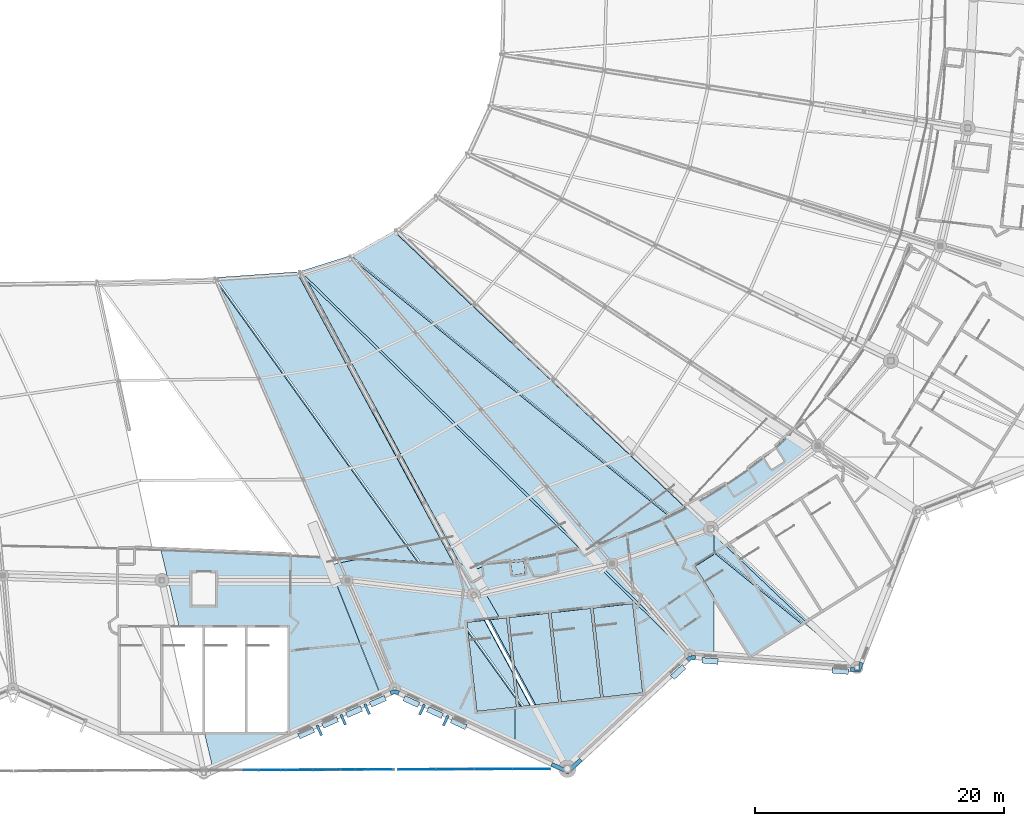
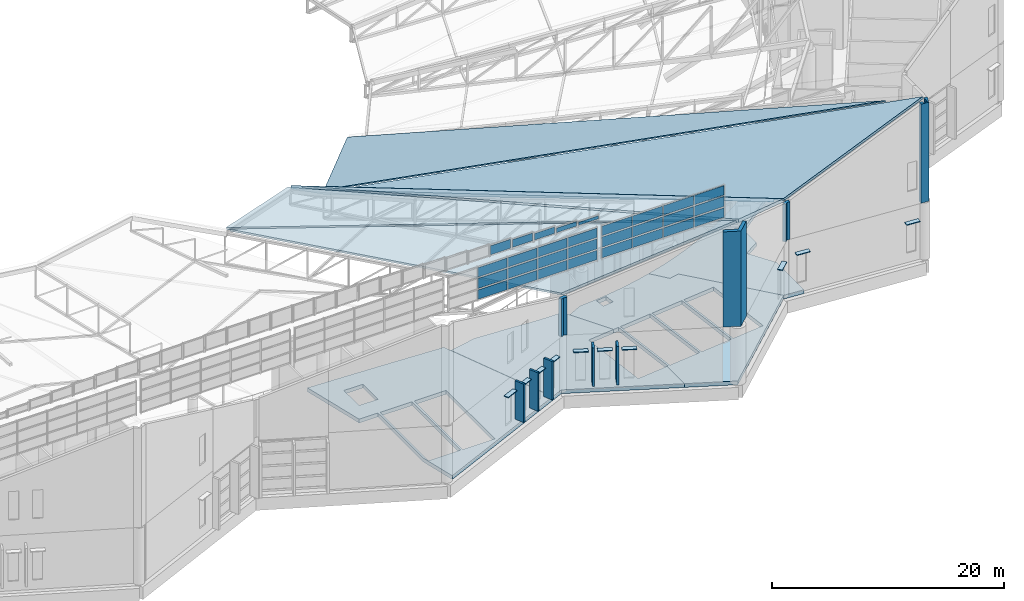
# One storey, part 231 of 344: 48 plates, 10 slabs, 7 elements without a shape of their own.
"""IFC4 building model written with IfcOpenShell, lengths in metres."""

from ifc_helpers import new_model, si_unit, direction, frame, origin, origin_2d, place, context, subcontext, project, spatial, polyline, rectangle, outline, extrude, material, layer, layer_set, type_object, element, aggregate, save


model = new_model("IFC4")

# Units and contexts
model_context = context("Model", 3, precision=1e-05, world=origin(), true_north=direction((0.0, 1.0)))
body_context = subcontext(model_context, "Body", "Model", "MODEL_VIEW")
ifc_project = project(units=[si_unit("LENGTHUNIT", "METRE"), si_unit("AREAUNIT", "SQUARE_METRE"), si_unit("VOLUMEUNIT", "CUBIC_METRE"), si_unit("PLANEANGLEUNIT", "RADIAN"), si_unit("MASSUNIT", "GRAM", prefix="KILO")], contexts=[model_context])

# Site, building, storey
site_placement = place(None, origin())
site = spatial("IfcSite", under=ifc_project, at=site_placement, CompositionType="ELEMENT")
building_placement = place(site_placement, origin())
building = spatial("IfcBuilding", under=site, at=building_placement, Name="Meseta Stadium", CompositionType="ELEMENT")
storey_placement = place(building_placement, frame((0.0, 0.0, 24.0)))
storey = spatial("IfcBuildingStorey", under=building, at=storey_placement, Name="L04", CompositionType="ELEMENT", Elevation=24.0)

# Curtain wall, plate
ifc_material_1 = material(Name="Aluminium", Category="aluminium")
ifc_layer_1 = layer(ifc_material_1, 0.199951171875)
ifc_layer_set_1 = layer_set([ifc_layer_1], Name="Gable glazing curtain wall")
curtain_wall_type = type_object("IfcCurtainWallType", Name="Gable glazing curtain wall", PredefinedType="NOTDEFINED", material=ifc_layer_set_1)
curtain_wall_1_placement = place(storey_placement, origin())
curtain_wall_1 = element("IfcCurtainWall", 1, at=curtain_wall_1_placement, inside=storey, type_object=curtain_wall_type, Name="Gable glazing south bay 31", PredefinedType="NOTDEFINED")
ifc_material_2 = material(Name="Glass", Category="glass")
ifc_layer_2 = layer(ifc_material_2, 0.035888671875)
ifc_layer_set_2 = layer_set([ifc_layer_2], Name="CW glass panel 36")
plate_type_1 = type_object("IfcPlateType", Name="CW glass panel 36", PredefinedType="CURTAIN_PANEL", material=ifc_layer_set_2)
plate_1_placement = place(storey_placement, frame((28.484619140625, -105.142822265625, 22.0048828125), z_axis=(0.0, 0.0, 1.0), x_axis=(0.999992598213, 0.003847534181, 0.0)))
plate_1 = element("IfcPlate", 2, at=plate_1_placement, type_object=plate_type_1, Name="CWG panel 1.1", PredefinedType="CURTAIN_PANEL", context=body_context, shape_type="SweptSolid", body=[
    extrude(rectangle(XDim=2.01025390625, YDim=0.035888671875, at=origin_2d()), origin(), (0.0, 0.0, 1.0), 0.943603515625),
])
aggregate(curtain_wall_1, [plate_1])

curtain_wall_2_placement = place(storey_placement, origin())
curtain_wall_2 = element("IfcCurtainWall", 3, at=curtain_wall_2_placement, inside=storey, type_object=curtain_wall_type, Name="Gable glazing south bay 32", PredefinedType="NOTDEFINED")
plate_2_placement = place(storey_placement, frame((30.6787109375, -105.134521484375, 22.0048828125), z_axis=(0.0, 0.0, 1.0), x_axis=(0.999992598213, 0.003847534181, 0.0)))
plate_2 = element("IfcPlate", 4, at=plate_2_placement, type_object=plate_type_1, Name="CWG panel 1.1", PredefinedType="CURTAIN_PANEL", context=body_context, shape_type="SweptSolid", body=[
    extrude(rectangle(XDim=2.01025390625, YDim=0.035888671875, at=origin_2d()), origin(), (0.0, 0.0, 1.0), 0.8203125),
])
aggregate(curtain_wall_2, [plate_2])

curtain_wall_3_placement = place(storey_placement, origin())
curtain_wall_3 = element("IfcCurtainWall", 5, at=curtain_wall_3_placement, inside=storey, type_object=curtain_wall_type, Name="Gable glazing south bay 33", PredefinedType="NOTDEFINED")
plate_3_placement = place(storey_placement, frame((32.872802734375, -105.1259765625, 22.0048828125), z_axis=(0.0, 0.0, 1.0), x_axis=(0.999992598211, 0.003847534652, 0.0)))
plate_3 = element("IfcPlate", 6, at=plate_3_placement, type_object=plate_type_1, Name="CWG panel 1.1", PredefinedType="CURTAIN_PANEL", context=body_context, shape_type="SweptSolid", body=[
    extrude(rectangle(XDim=2.01025390625, YDim=0.035888671875, at=origin_2d()), origin(), (0.0, 0.0, 1.0), 0.684326171875),
])
aggregate(curtain_wall_3, [plate_3])

curtain_wall_4_placement = place(storey_placement, origin())
curtain_wall_4 = element("IfcCurtainWall", 7, at=curtain_wall_4_placement, inside=storey, type_object=curtain_wall_type, Name="Gable glazing south bay 34", PredefinedType="NOTDEFINED")
plate_4_placement = place(storey_placement, frame((35.067138671875, -105.11767578125, 22.0048828125), z_axis=(0.0, 0.0, 1.0), x_axis=(0.999992598213, 0.003847534181, 0.0)))
plate_4 = element("IfcPlate", 8, at=plate_4_placement, type_object=plate_type_1, Name="CWG panel 1.1", PredefinedType="CURTAIN_PANEL", context=body_context, shape_type="SweptSolid", body=[
    extrude(rectangle(XDim=2.01025390625, YDim=0.035888671875, at=origin_2d()), origin(), (0.0, 0.0, 1.0), 0.485595703125),
])
aggregate(curtain_wall_4, [plate_4])

curtain_wall_5_placement = place(storey_placement, origin())
curtain_wall_5 = element("IfcCurtainWall", 9, at=curtain_wall_5_placement, inside=storey, type_object=curtain_wall_type, Name="Gable glazing south bay 35", PredefinedType="NOTDEFINED")
plate_5_placement = place(storey_placement, frame((37.26123046875, -105.109130859375, 22.0048828125), z_axis=(0.0, 0.0, 1.0), x_axis=(0.999992598213, 0.003847534181, 0.0)))
plate_5 = element("IfcPlate", 10, at=plate_5_placement, type_object=plate_type_1, Name="CWG panel 1.1", PredefinedType="CURTAIN_PANEL", context=body_context, shape_type="SweptSolid", body=[
    extrude(rectangle(XDim=2.01025390625, YDim=0.035888671875, at=origin_2d()), origin(), (0.0, 0.0, 1.0), 0.32373046875),
])
aggregate(curtain_wall_5, [plate_5])

# Curtain wall, plates
curtain_wall_6_placement = place(storey_placement, origin())
curtain_wall_6 = element("IfcCurtainWall", 11, at=curtain_wall_6_placement, inside=storey, type_object=curtain_wall_type, Name="Gable glazing south lower bay 05", PredefinedType="NOTDEFINED")
plate_6_placement = place(storey_placement, frame((27.68505859375, -105.14599609375, 17.75), z_axis=(0.0, 0.0, 1.0), x_axis=(0.999992598213, 0.003847534216, 0.0)))
plate_6 = element("IfcPlate", 12, at=plate_6_placement, type_object=plate_type_1, Name="CWG panel 2.1", PredefinedType="CURTAIN_PANEL", context=body_context, shape_type="SweptSolid", body=[
    extrude(rectangle(XDim=2.93359375, YDim=0.035888671875, at=origin_2d()), origin(), (0.0, 0.0, 1.0), 0.986572265625),
])
plate_7_placement = place(storey_placement, frame((27.68505859375, -105.14599609375, 18.88671875), z_axis=(0.0, 0.0, 1.0), x_axis=(0.999992598213, 0.003847534216, 0.0)))
plate_7 = element("IfcPlate", 13, at=plate_7_placement, type_object=plate_type_1, Name="CWG panel 2.2", PredefinedType="CURTAIN_PANEL", context=body_context, shape_type="SweptSolid", body=[
    extrude(rectangle(XDim=2.93359375, YDim=0.035888671875, at=origin_2d()), origin(), (0.0, 0.0, 1.0), 1.061767578125),
])
plate_8_placement = place(storey_placement, frame((27.68505859375, -105.14599609375, 20.09814453125), z_axis=(0.0, 0.0, 1.0), x_axis=(0.999992598213, 0.003847534216, 0.0)))
plate_8 = element("IfcPlate", 14, at=plate_8_placement, type_object=plate_type_1, Name="CWG panel 2.3", PredefinedType="CURTAIN_PANEL", context=body_context, shape_type="SweptSolid", body=[
    extrude(rectangle(XDim=2.93359375, YDim=0.035888671875, at=origin_2d()), origin(), (0.0, 0.0, 1.0), 0.986572265625),
])
plate_9_placement = place(storey_placement, frame((30.6787109375, -105.134521484375, 17.75), z_axis=(0.0, 0.0, 1.0), x_axis=(0.999992598213, 0.003847534216, 0.0)))
plate_9 = element("IfcPlate", 15, at=plate_9_placement, type_object=plate_type_1, Name="CWG panel 3.1", PredefinedType="CURTAIN_PANEL", context=body_context, shape_type="SweptSolid", body=[
    extrude(rectangle(XDim=2.93359375, YDim=0.035888671875, at=origin_2d()), origin(), (0.0, 0.0, 1.0), 0.986572265625),
])
plate_10_placement = place(storey_placement, frame((30.6787109375, -105.134521484375, 18.88671875), z_axis=(0.0, 0.0, 1.0), x_axis=(0.999992598213, 0.003847534216, 0.0)))
plate_10 = element("IfcPlate", 16, at=plate_10_placement, type_object=plate_type_1, Name="CWG panel 3.2", PredefinedType="CURTAIN_PANEL", context=body_context, shape_type="SweptSolid", body=[
    extrude(rectangle(XDim=2.93359375, YDim=0.035888671875, at=origin_2d()), origin(), (0.0, 0.0, 1.0), 1.061767578125),
])
plate_11_placement = place(storey_placement, frame((30.6787109375, -105.134521484375, 20.09814453125), z_axis=(0.0, 0.0, 1.0), x_axis=(0.999992598213, 0.003847534216, 0.0)))
plate_11 = element("IfcPlate", 17, at=plate_11_placement, type_object=plate_type_1, Name="CWG panel 3.3", PredefinedType="CURTAIN_PANEL", context=body_context, shape_type="SweptSolid", body=[
    extrude(rectangle(XDim=2.93359375, YDim=0.035888671875, at=origin_2d()), origin(), (0.0, 0.0, 1.0), 0.986572265625),
])
plate_12_placement = place(storey_placement, frame((33.67236328125, -105.123046875, 17.75), z_axis=(0.0, 0.0, 1.0), x_axis=(0.999992598213, 0.003847534216, 0.0)))
plate_12 = element("IfcPlate", 18, at=plate_12_placement, type_object=plate_type_1, Name="CWG panel 4.1", PredefinedType="CURTAIN_PANEL", context=body_context, shape_type="SweptSolid", body=[
    extrude(rectangle(XDim=2.93359375, YDim=0.035888671875, at=origin_2d()), origin(), (0.0, 0.0, 1.0), 0.986572265625),
])
plate_13_placement = place(storey_placement, frame((33.67236328125, -105.123046875, 18.88671875), z_axis=(0.0, 0.0, 1.0), x_axis=(0.999992598213, 0.003847534216, 0.0)))
plate_13 = element("IfcPlate", 19, at=plate_13_placement, type_object=plate_type_1, Name="CWG panel 4.2", PredefinedType="CURTAIN_PANEL", context=body_context, shape_type="SweptSolid", body=[
    extrude(rectangle(XDim=2.93359375, YDim=0.035888671875, at=origin_2d()), origin(), (0.0, 0.0, 1.0), 1.061767578125),
])
plate_14_placement = place(storey_placement, frame((33.67236328125, -105.123046875, 20.09814453125), z_axis=(0.0, 0.0, 1.0), x_axis=(0.999992598213, 0.003847534216, 0.0)))
plate_14 = element("IfcPlate", 20, at=plate_14_placement, type_object=plate_type_1, Name="CWG panel 4.3", PredefinedType="CURTAIN_PANEL", context=body_context, shape_type="SweptSolid", body=[
    extrude(rectangle(XDim=2.93359375, YDim=0.035888671875, at=origin_2d()), origin(), (0.0, 0.0, 1.0), 0.986572265625),
])
plate_15_placement = place(storey_placement, frame((36.651123046875, -105.111572265625, 17.75), z_axis=(0.0, 0.0, 1.0), x_axis=(0.999992598213, 0.003847534216, 0.0)))
plate_15 = element("IfcPlate", 21, at=plate_15_placement, type_object=plate_type_1, Name="CWG panel 5.1", PredefinedType="CURTAIN_PANEL", context=body_context, shape_type="SweptSolid", body=[
    extrude(rectangle(XDim=2.903564453125, YDim=0.035888671875, at=origin_2d()), origin(), (0.0, 0.0, 1.0), 0.986572265625),
])
plate_16_placement = place(storey_placement, frame((36.651123046875, -105.111572265625, 18.88671875), z_axis=(0.0, 0.0, 1.0), x_axis=(0.999992598213, 0.003847534216, 0.0)))
plate_16 = element("IfcPlate", 22, at=plate_16_placement, type_object=plate_type_1, Name="CWG panel 5.2", PredefinedType="CURTAIN_PANEL", context=body_context, shape_type="SweptSolid", body=[
    extrude(rectangle(XDim=2.903564453125, YDim=0.035888671875, at=origin_2d()), origin(), (0.0, 0.0, 1.0), 1.061767578125),
])
plate_17_placement = place(storey_placement, frame((36.651123046875, -105.111572265625, 20.09814453125), z_axis=(0.0, 0.0, 1.0), x_axis=(0.999992598213, 0.003847534216, 0.0)))
plate_17 = element("IfcPlate", 23, at=plate_17_placement, type_object=plate_type_1, Name="CWG panel 5.3", PredefinedType="CURTAIN_PANEL", context=body_context, shape_type="SweptSolid", body=[
    extrude(rectangle(XDim=2.903564453125, YDim=0.035888671875, at=origin_2d()), origin(), (0.0, 0.0, 1.0), 0.986572265625),
])
aggregate(curtain_wall_6, [plate_6, plate_7, plate_8, plate_9, plate_10, plate_11, plate_12, plate_13, plate_14, plate_15, plate_16, plate_17])

curtain_wall_7_placement = place(storey_placement, origin())
curtain_wall_7 = element("IfcCurtainWall", 24, at=curtain_wall_7_placement, inside=storey, type_object=curtain_wall_type, Name="Gable glazing south lower bay 06", PredefinedType="NOTDEFINED")
plate_18_placement = place(storey_placement, frame((40.1083984375, -105.09814453125, 17.75), z_axis=(0.0, 0.0, 1.0), x_axis=(0.999992598213, 0.003847534233, 0.0)))
plate_18 = element("IfcPlate", 25, at=plate_18_placement, type_object=plate_type_1, Name="CWG panel 1.1", PredefinedType="CURTAIN_PANEL", context=body_context, shape_type="SweptSolid", body=[
    extrude(rectangle(XDim=2.9892578125, YDim=0.035888671875, at=origin_2d()), origin(), (0.0, 0.0, 1.0), 0.986572265625),
])
plate_19_placement = place(storey_placement, frame((40.1083984375, -105.09814453125, 18.88671875), z_axis=(0.0, 0.0, 1.0), x_axis=(0.999992598213, 0.003847534233, 0.0)))
plate_19 = element("IfcPlate", 26, at=plate_19_placement, type_object=plate_type_1, Name="CWG panel 1.2", PredefinedType="CURTAIN_PANEL", context=body_context, shape_type="SweptSolid", body=[
    extrude(rectangle(XDim=2.9892578125, YDim=0.035888671875, at=origin_2d()), origin(), (0.0, 0.0, 1.0), 1.061767578125),
])
plate_20_placement = place(storey_placement, frame((40.1083984375, -105.09814453125, 20.09814453125), z_axis=(0.0, 0.0, 1.0), x_axis=(0.999992598213, 0.003847534233, 0.0)))
plate_20 = element("IfcPlate", 27, at=plate_20_placement, type_object=plate_type_1, Name="CWG panel 1.3", PredefinedType="CURTAIN_PANEL", context=body_context, shape_type="SweptSolid", body=[
    extrude(rectangle(XDim=2.9892578125, YDim=0.035888671875, at=origin_2d()), origin(), (0.0, 0.0, 1.0), 0.986572265625),
])
plate_21_placement = place(storey_placement, frame((43.172607421875, -105.08642578125, 17.75), z_axis=(0.0, 0.0, 1.0), x_axis=(0.999992598213, 0.003847534233, 0.0)))
plate_21 = element("IfcPlate", 28, at=plate_21_placement, type_object=plate_type_1, Name="CWG panel 2.1", PredefinedType="CURTAIN_PANEL", context=body_context, shape_type="SweptSolid", body=[
    extrude(rectangle(XDim=3.019287109375, YDim=0.035888671875, at=origin_2d()), origin(), (0.0, 0.0, 1.0), 0.986572265625),
])
plate_22_placement = place(storey_placement, frame((43.172607421875, -105.08642578125, 18.88671875), z_axis=(0.0, 0.0, 1.0), x_axis=(0.999992598213, 0.003847534233, 0.0)))
plate_22 = element("IfcPlate", 29, at=plate_22_placement, type_object=plate_type_1, Name="CWG panel 2.2", PredefinedType="CURTAIN_PANEL", context=body_context, shape_type="SweptSolid", body=[
    extrude(rectangle(XDim=3.019287109375, YDim=0.035888671875, at=origin_2d()), origin(), (0.0, 0.0, 1.0), 1.061767578125),
])
plate_23_placement = place(storey_placement, frame((43.172607421875, -105.08642578125, 20.09814453125), z_axis=(0.0, 0.0, 1.0), x_axis=(0.999992598213, 0.003847534233, 0.0)))
plate_23 = element("IfcPlate", 30, at=plate_23_placement, type_object=plate_type_1, Name="CWG panel 2.3", PredefinedType="CURTAIN_PANEL", context=body_context, shape_type="SweptSolid", body=[
    extrude(rectangle(XDim=3.019287109375, YDim=0.035888671875, at=origin_2d()), origin(), (0.0, 0.0, 1.0), 0.986572265625),
])
plate_24_placement = place(storey_placement, frame((46.251953125, -105.074462890625, 17.75), z_axis=(0.0, 0.0, 1.0), x_axis=(0.999992598213, 0.003847534233, 0.0)))
plate_24 = element("IfcPlate", 31, at=plate_24_placement, type_object=plate_type_1, Name="CWG panel 3.1", PredefinedType="CURTAIN_PANEL", context=body_context, shape_type="SweptSolid", body=[
    extrude(rectangle(XDim=3.019287109375, YDim=0.035888671875, at=origin_2d()), origin(), (0.0, 0.0, 1.0), 0.986572265625),
])
plate_25_placement = place(storey_placement, frame((46.251953125, -105.074462890625, 18.88671875), z_axis=(0.0, 0.0, 1.0), x_axis=(0.999992598213, 0.003847534233, 0.0)))
plate_25 = element("IfcPlate", 32, at=plate_25_placement, type_object=plate_type_1, Name="CWG panel 3.2", PredefinedType="CURTAIN_PANEL", context=body_context, shape_type="SweptSolid", body=[
    extrude(rectangle(XDim=3.019287109375, YDim=0.035888671875, at=origin_2d()), origin(), (0.0, 0.0, 1.0), 1.061767578125),
])
plate_26_placement = place(storey_placement, frame((46.251953125, -105.074462890625, 20.09814453125), z_axis=(0.0, 0.0, 1.0), x_axis=(0.999992598213, 0.003847534233, 0.0)))
plate_26 = element("IfcPlate", 33, at=plate_26_placement, type_object=plate_type_1, Name="CWG panel 3.3", PredefinedType="CURTAIN_PANEL", context=body_context, shape_type="SweptSolid", body=[
    extrude(rectangle(XDim=3.019287109375, YDim=0.035888671875, at=origin_2d()), origin(), (0.0, 0.0, 1.0), 0.986572265625),
])
plate_27_placement = place(storey_placement, frame((49.316162109375, -105.062744140625, 17.75), z_axis=(0.0, 0.0, 1.0), x_axis=(0.999992598213, 0.003847534233, 0.0)))
plate_27 = element("IfcPlate", 34, at=plate_27_placement, type_object=plate_type_1, Name="CWG panel 4.1", PredefinedType="CURTAIN_PANEL", context=body_context, shape_type="SweptSolid", body=[
    extrude(rectangle(XDim=2.9892578125, YDim=0.035888671875, at=origin_2d()), origin(), (0.0, 0.0, 1.0), 0.986572265625),
])
plate_28_placement = place(storey_placement, frame((49.316162109375, -105.062744140625, 18.88671875), z_axis=(0.0, 0.0, 1.0), x_axis=(0.999992598213, 0.003847534233, 0.0)))
plate_28 = element("IfcPlate", 35, at=plate_28_placement, type_object=plate_type_1, Name="CWG panel 4.2", PredefinedType="CURTAIN_PANEL", context=body_context, shape_type="SweptSolid", body=[
    extrude(rectangle(XDim=2.9892578125, YDim=0.035888671875, at=origin_2d()), origin(), (0.0, 0.0, 1.0), 1.061767578125),
])
plate_29_placement = place(storey_placement, frame((49.316162109375, -105.062744140625, 20.09814453125), z_axis=(0.0, 0.0, 1.0), x_axis=(0.999992598213, 0.003847534233, 0.0)))
plate_29 = element("IfcPlate", 36, at=plate_29_placement, type_object=plate_type_1, Name="CWG panel 4.3", PredefinedType="CURTAIN_PANEL", context=body_context, shape_type="SweptSolid", body=[
    extrude(rectangle(XDim=2.9892578125, YDim=0.035888671875, at=origin_2d()), origin(), (0.0, 0.0, 1.0), 0.986572265625),
])
aggregate(curtain_wall_7, [plate_18, plate_19, plate_20, plate_21, plate_22, plate_23, plate_24, plate_25, plate_26, plate_27, plate_28, plate_29])

# Slabs
ifc_material_3 = material(Name="Concrete C40/50", Category="concrete")
ifc_layer_3 = layer(ifc_material_3, 0.39990234375)
ifc_layer_set_3 = layer_set([ifc_layer_3], Name="Floor slab 400")
slab_type_1 = type_object("IfcSlabType", Name="Floor slab 400", PredefinedType="FLOOR", material=ifc_layer_set_3)
slab_1_placement = place(storey_placement, frame((0.0, 0.0, -0.39990234375)))
element("IfcSlab", 37, at=slab_1_placement, inside=storey, type_object=slab_type_1, Name="Floor slab L04 sector 42 panel 09", PredefinedType="FLOOR", context=body_context, shape_type="SweptSolid", body=[
    extrude(outline(polyline([(28.322998046875, -87.75439453125), (26.111328125, -87.650634765625), (23.906982421875, -87.552734375), (21.70947265625, -87.461669921875), (19.518310546875, -87.37744140625), (21.023681640625, -93.699951171875), (22.89990234375, -93.699951171875), (22.89990234375, -101.580078125), (23.732177734375, -105.0751953125), (37.177001953125, -99.11279296875), (32.75830078125, -87.97802734375), (30.542236328125, -87.864013671875), (28.322998046875, -87.75439453125)]), holes=[polyline([(22.050048828125, -89.300048828125), (23.949951171875, -89.300048828125), (23.949951171875, -91.89990234375), (22.050048828125, -91.89990234375), (22.050048828125, -89.300048828125)]), polyline([(26.300048828125, -102.10009765625), (23.10009765625, -102.10009765625), (23.10009765625, -93.699951171875), (26.300048828125, -93.699951171875), (26.300048828125, -102.10009765625)]), polyline([(29.699951171875, -102.10009765625), (26.5, -102.10009765625), (26.5, -93.699951171875), (29.699951171875, -93.699951171875), (29.699951171875, -102.10009765625)])]), origin(), (0.0, 0.0, 1.0), 0.39990234375),
])
slab_2_placement = place(storey_placement, frame((0.0, 0.0, -0.39990234375)))
element("IfcSlab", 38, at=slab_2_placement, inside=storey, type_object=slab_type_1, Name="Floor slab L04 sector 49 panel 01", PredefinedType="FLOOR", context=body_context, shape_type="SweptSolid", body=[
    extrude(outline(polyline([(37.247802734375, -88.22119140625), (35.716552734375, -88.13720703125), (33.07177734375, -88.67626953125), (32.9912109375, -88.510498046875), (37.1953125, -99.104736328125), (38.333251953125, -98.60009765625), (48.0, -103.0966796875), (48.0, -100.091064453125), (44.9404296875, -100.435791015625), (44.13427734375, -93.281005859375), (46.7978515625, -92.98095703125), (44.232177734375, -88.542236328125), (42.652099609375, -88.54150390625), (41.073486328125, -88.476806640625), (39.499267578125, -88.348388671875), (37.247802734375, -88.22119140625)])), origin(), (0.0, 0.0, 1.0), 0.39990234375),
])
slab_3_placement = place(storey_placement, frame((0.0, 0.0, -0.39990234375)))
element("IfcSlab", 39, at=slab_3_placement, inside=storey, type_object=slab_type_1, Name="Floor slab L04 sector 49 panel 02", PredefinedType="FLOOR", context=body_context, shape_type="SweptSolid", body=[
    extrude(outline(polyline([(47.38671875, -88.352783203125), (46.056396484375, -88.459716796875), (44.609619140625, -89.165771484375), (44.50439453125, -89.01318359375), (44.232421875, -88.542236328125), (44.232177734375, -88.542236328125), (46.7978515625, -92.98095703125), (47.314208984375, -92.9228515625), (48.1201171875, -100.077392578125), (48.0, -100.091064453125), (48.0, -103.0966796875), (52.202880859375, -105.0517578125), (62.051513671875, -95.872802734375), (55.799560546875, -88.541748046875), (54.8447265625, -88.760498046875), (53.59814453125, -87.216064453125), (52.06396484375, -87.593994140625), (50.515380859375, -87.90966796875), (48.95556640625, -88.162841796875), (47.38671875, -88.352783203125)]), holes=[polyline([(50.692626953125, -92.5419921875), (51.498779296875, -99.69677734375), (48.319091796875, -100.05517578125), (47.5126953125, -92.900390625), (50.692626953125, -92.5419921875)]), polyline([(58.256103515625, -98.935302734375), (55.076171875, -99.293701171875), (54.27001953125, -92.138916015625), (57.449951171875, -91.78076171875), (58.256103515625, -98.935302734375)]), polyline([(54.0712890625, -92.161376953125), (54.87744140625, -99.316162109375), (51.697509765625, -99.67431640625), (50.8916015625, -92.519775390625), (54.0712890625, -92.161376953125)]), polyline([(47.669921875, -88.489990234375), (48.71337890625, -88.37255859375), (48.825439453125, -89.3662109375), (47.781982421875, -89.483642578125), (47.669921875, -88.489990234375)])]), origin(), (0.0, 0.0, 1.0), 0.39990234375),
])
slab_4_placement = place(storey_placement, frame((0.0, 0.0, -0.39990234375)))
element("IfcSlab", 40, at=slab_4_placement, inside=storey, type_object=slab_type_1, Name="Floor slab L04 sector 49 panel 03", PredefinedType="FLOOR", context=body_context, shape_type="SweptSolid", body=[
    extrude(outline(polyline([(62.051513671875, -95.872802734375), (64.0, -96.023193359375), (64.0, -91.239990234375), (62.45947265625, -88.788330078125), (64.0, -87.8203125), (64.0, -85.5615234375), (71.885986328125, -79.422607421875), (70.034423828125, -78.172607421875), (68.853515625, -79.217529296875), (67.894287109375, -80.0), (67.63134765625, -80.21435546875), (66.36962890625, -81.161376953125), (65.07080078125, -82.05712890625), (63.736572265625, -82.89990234375), (62.369384765625, -83.688720703125), (60.97119140625, -84.422119140625), (59.54443359375, -85.098388671875), (58.091552734375, -85.717041015625), (56.614501953125, -86.27685546875), (55.115966796875, -86.77685546875), (53.59814453125, -87.216064453125), (54.8447265625, -88.760498046875), (55.799560546875, -88.541748046875), (62.051513671875, -95.872802734375)]), holes=[polyline([(67.967041015625, -79.9794921875), (68.983154296875, -79.341064453125), (69.62158203125, -80.357177734375), (68.605712890625, -80.99560546875), (67.967041015625, -79.9794921875)])]), origin(), (0.0, 0.0, 1.0), 0.39990234375),
])

# Plates
ifc_material_4 = material(Name="White precast concrete C40/50", Category="concrete")
ifc_layer_4 = layer(ifc_material_4, 0.320068359375)
ifc_layer_set_4 = layer_set([ifc_layer_4], Name="Fold closer plate 320")
plate_type_2 = type_object("IfcPlateType", Name="Fold closer plate 320", PredefinedType="USERDEFINED", material=ifc_layer_set_4)
plate_30_placement = place(storey_placement, frame((0.0, 0.0, 6.0)))
element("IfcPlate", 41, at=plate_30_placement, inside=storey, type_object=plate_type_2, Name="Pleated fascia fold closer L04 F48", ObjectType="CLADDING", PredefinedType="USERDEFINED", context=body_context, shape_type="SweptSolid", body=[
    extrude(outline(polyline([(38.329833984375, -98.995361328125), (38.589111328125, -99.115966796875), (38.72412109375, -98.82568359375), (38.453369140625, -98.699951171875), (38.45263671875, -98.7138671875), (38.4443359375, -98.719970703125), (38.223388671875, -98.719970703125), (38.214111328125, -98.7138671875), (38.21337890625, -98.697021484375), (37.938720703125, -98.81884765625), (38.068359375, -99.111328125), (38.329833984375, -98.995361328125)])), origin(), (0.0, 0.0, 1.0), 3.9453125),
])
plate_31_placement = place(storey_placement, frame((0.0, 0.0, 6.0)))
element("IfcPlate", 42, at=plate_31_placement, inside=storey, type_object=plate_type_2, Name="Pleated fascia fold closer L04 F49", ObjectType="CLADDING", PredefinedType="USERDEFINED", context=body_context, shape_type="SweptSolid", body=[
    extrude(outline(polyline([(51.008544921875, -104.540283203125), (50.873779296875, -104.830322265625), (52.27099609375, -105.48046875), (53.398193359375, -104.4296875), (53.18017578125, -104.195556640625), (52.21044921875, -105.099365234375), (51.008544921875, -104.540283203125)])), origin(), (0.0, 0.0, 1.0), 10.029052734375),
])
plate_32_placement = place(storey_placement, frame((0.0, 0.0, 6.0)))
element("IfcPlate", 43, at=plate_32_placement, inside=storey, type_object=plate_type_2, Name="Pleated fascia fold closer L04 F50", ObjectType="CLADDING", PredefinedType="USERDEFINED", context=body_context, shape_type="SweptSolid", body=[
    extrude(outline(polyline([(61.96533203125, -96.0078125), (61.75, -96.20849609375), (61.96826171875, -96.442626953125), (62.181396484375, -96.243896484375), (62.47216796875, -96.266357421875), (62.496826171875, -95.947265625), (62.1865234375, -95.92333984375), (62.1865234375, -95.998779296875), (62.180419921875, -96.007080078125), (61.96533203125, -96.0078125)])), origin(), (0.0, 0.0, 1.0), 3.954833984375),
])
plate_33_placement = place(storey_placement, frame((0.0, 0.0, 6.0)))
element("IfcPlate", 44, at=plate_33_placement, inside=storey, type_object=plate_type_2, Name="Pleated fascia fold closer L04 F51", ObjectType="CLADDING", PredefinedType="USERDEFINED", context=body_context, shape_type="SweptSolid", body=[
    extrude(outline(polyline([(75.2646484375, -96.932373046875), (74.973388671875, -96.909912109375), (74.94873046875, -97.22900390625), (75.712890625, -97.2880859375), (75.991455078125, -96.57373046875), (75.693359375, -96.45751953125), (75.599365234375, -96.698486328125), (75.675537109375, -96.698486328125), (75.684326171875, -96.70654296875), (75.6845703125, -97.1083984375), (75.67919921875, -97.1171875), (75.270751953125, -97.117919921875), (75.2646484375, -97.1083984375), (75.2646484375, -96.932373046875)])), origin(), (0.0, 0.0, 1.0), 10.4326171875),
])
ifc_material_5 = material(Name="White precast concrete C40/50", Category="concrete")
ifc_layer_5 = layer(ifc_material_5, 0.080078125)
ifc_layer_set_5 = layer_set([ifc_layer_5], Name="Louvre hood 1300x450")
plate_type_3 = type_object("IfcPlateType", Name="Louvre hood 1300x450", PredefinedType="USERDEFINED", material=ifc_layer_set_5)
for number, where, z_axis, x_axis, name in (
    (45, (36.981201171875, -99.620849609375, 4.25), (0.0, 0.0, 1.0), (0.914139046248, 0.40540079443, 0.0), "Louvre hood L04 F48"),
    (46, (35.061279296875, -100.47216796875, 4.25), (0.0, 0.0, 1.0), (0.914139046248, 0.40540079443, 0.0), "Louvre hood L04 F48"),
    (47, (33.1416015625, -101.323486328125, 4.25), (0.0, 0.0, 1.0), (0.914139046248, 0.40540079443, 0.0), "Louvre hood L04 F48"),
    (48, (31.221923828125, -102.1748046875, 4.25), (0.0, 0.0, 1.0), (0.914139046248, 0.40540079443, 0.0), "Louvre hood L04 F48"),
    (49, (39.6669921875, -99.64501953125, 4.25), (0.0, 0.0, 1.0), (0.9067029415, -0.421769813851, 0.0), "Louvre hood L04 F49"),
    (50, (41.571044921875, -100.53076171875, 4.25), (0.0, 0.0, 1.0), (0.9067029415, -0.421769813851, 0.0), "Louvre hood L04 F49"),
    (51, (43.47509765625, -101.41650390625, 4.25), (0.0, 0.0, 1.0), (0.9067029415, -0.421769813851, 0.0), "Louvre hood L04 F49"),
    (52, (61.10693359375, -97.279296875, 4.25), (0.0, 0.0, 1.0), (0.731544959663, 0.681793203245, 0.0), "Louvre hood L04 F50"),
    (53, (63.6669921875, -96.383544921875, 4.25), (0.0, 0.0, 1.0), (0.997035989505, -0.076936568886, 0.0), "Louvre hood L04 F51"),
    (54, (74.135986328125, -97.19140625, 4.25), (0.0, 0.0, 1.0), (0.997035989505, -0.076936568886, 0.0), "Louvre hood L04 F51"),
):
    element("IfcPlate", number, at=place(storey_placement, frame(where, z_axis=z_axis, x_axis=x_axis)), inside=storey, type_object=plate_type_3, Name=name, ObjectType="LOUVRE", PredefinedType="USERDEFINED", context=body_context, shape_type="SweptSolid", body=[
        extrude(rectangle(XDim=1.300048828125, YDim=0.449951171875, at=origin_2d()), origin(), (0.0, 0.0, 1.0), 0.080078125),
    ])
ifc_material_6 = material(Name="Precast concrete C40/50, terracotta pigment", Category="masonry")
ifc_layer_6 = layer(ifc_material_6, 0.199951171875)
ifc_layer_set_6 = layer_set([ifc_layer_6], Name="Precast concrete C40/50, terracotta pigment")
plate_type_4 = type_object("IfcPlateType", Name="Precast fin 200x900", PredefinedType="USERDEFINED", material=ifc_layer_set_6)
for number, where, z_axis, x_axis, name in (
    (55, (36.112548828125, -100.252197265625, 0.9501953125), (0.0, 0.0, 1.0), (-0.914139367606, -0.405400069798, 0.0), "Precast fin L04 F48.1"),
    (56, (34.19287109375, -101.103515625, 0.9501953125), (0.0, 0.0, 1.0), (-0.914139367606, -0.405400069798, 0.0), "Precast fin L04 F48.2"),
    (57, (32.273193359375, -101.954833984375, 0.9501953125), (0.0, 0.0, 1.0), (-0.914139367606, -0.405400069798, 0.0), "Precast fin L04 F48.3"),
    (58, (42.42822265625, -101.177490234375, 0.9501953125), (0.0, 0.0, 1.0), (-0.906702748296, 0.421770229193, 0.0), "Precast fin L04 F49.1"),
    (59, (40.524169921875, -100.2919921875, 0.9501953125), (0.0, 0.0, 1.0), (-0.906702748296, 0.421770229193, 0.0), "Precast fin L04 F49.2"),
):
    element("IfcPlate", number, at=place(storey_placement, frame(where, z_axis=z_axis, x_axis=x_axis)), inside=storey, type_object=plate_type_4, Name=name, ObjectType="FIN", PredefinedType="USERDEFINED", context=body_context, shape_type="SweptSolid", body=[
        extrude(rectangle(XDim=0.199951171875, YDim=0.89990234375, at=origin_2d()), origin(), (0.0, 0.0, 1.0), 4.050048828125),
    ])

# Slabs
ifc_material_7 = material(Name="Precast concrete C40/50", Category="concrete")
ifc_layer_7 = layer(ifc_material_7, 0.300048828125)
ifc_layer_set_7 = layer_set([ifc_layer_7], Name="Roof plate 300")
slab_type_2 = type_object("IfcSlabType", Name="Roof plate 300", PredefinedType="ROOF", material=ifc_layer_set_7)
slab_5_placement = place(storey_placement, frame((50.822265625, -102.957275390625, 16.242431640625), z_axis=(-0.268832496562, 0.166037965694, 0.948767876111), x_axis=(-0.557236513487, 0.776636980205, -0.293806856651)))
element("IfcSlab", 60, at=slab_5_placement, inside=storey, type_object=slab_type_2, Name="Roof panel RP-49 A", PredefinedType="ROOF", context=body_context, shape_type="SweptSolid", body=[
    extrude(outline(polyline([(0.0, 0.0), (48.14144663123507, -2.886579864025407e-15), (44.38867220081467, -5.539097148101872), (0.0, 0.0)])), origin(), (0.0, 0.0, -1.0), 0.300048828125),
])
slab_6_placement = place(storey_placement, frame((38.333251953125, -98.60009765625, 10.199951171875), z_axis=(-0.426394350818, 0.035976613797, 0.903821631103), x_axis=(-0.391124887027, 0.893633652429, -0.220091385552)))
element("IfcSlab", 61, at=slab_6_placement, inside=storey, type_object=slab_type_2, Name="Roof panel RP-49 B", PredefinedType="ROOF", context=body_context, shape_type="SweptSolid", body=[
    extrude(outline(polyline([(0.0, 0.0), (36.48830552177411, -1.3322676295501878e-15), (-12.526927634564393, -10.783708417443977), (0.0, 0.0)])), origin(), (0.0, 0.0, -1.0), 0.300048828125),
])
slab_7_placement = place(storey_placement, frame((34.722412109375, -63.827392578125, 1.150390625), z_axis=(0.360916421507, 0.525393733271, 0.770519799697), x_axis=(0.63441717513, -0.743897243989, 0.210075553753)))
element("IfcSlab", 62, at=slab_7_placement, inside=storey, type_object=slab_type_2, Name="Roof panel RP-50 A", PredefinedType="ROOF", context=body_context, shape_type="SweptSolid", body=[
    extrude(outline(polyline([(0.0, 0.0), (42.180462343461656, -1.7763568394002505e-15), (-1.0148325243263254, -4.845555356782491), (0.0, 0.0)])), origin(), (0.0, 0.0, -1.0), 0.300048828125),
])
slab_8_placement = place(storey_placement, frame((31.35693359375, -65.9169921875, 4.1181640625), z_axis=(0.226381316336, 0.411232276511, 0.882971978247), x_axis=(0.455665117066, -0.845908011941, 0.277144252012)))
element("IfcSlab", 63, at=slab_8_placement, inside=storey, type_object=slab_type_2, Name="Roof panel RP-50 B", PredefinedType="ROOF", context=body_context, shape_type="SweptSolid", body=[
    extrude(outline(polyline([(0.0, 0.0), (46.091307824300955, -8.881784197001252e-16), (41.04596899227988, 13.853129866356792), (40.24167603511824, 13.582351681895899), (40.254369836110165, 13.561442896610268), (0.0, 0.0)])), origin(), (0.0, 0.0, -1.0), 0.300048828125),
])
slab_9_placement = place(storey_placement, frame((72.882568359375, -94.69921875, 16.0322265625), z_axis=(-0.54779584604, -0.300803760276, 0.780664338154), x_axis=(-0.743250964943, 0.603340192305, -0.289065071326)))
element("IfcSlab", 64, at=slab_9_placement, inside=storey, type_object=slab_type_2, Name="Roof panel RP-51 A", PredefinedType="ROOF", context=body_context, shape_type="SweptSolid", body=[
    extrude(outline(polyline([(0.0, 0.0), (51.239409069978095, -7.105427357601002e-15), (48.9367376546824, -4.506966877746871), (0.0, 0.0)])), origin(), (0.0, 0.0, -1.0), 0.300048828125),
])
slab_10_placement = place(storey_placement, frame((62.051513671875, -95.872802734375, 10.199951171875), z_axis=(-0.456031817843, -0.140759087747, 0.878761549188), x_axis=(-0.634416654878, 0.743898528647, -0.21007257577)))
element("IfcSlab", 65, at=slab_10_placement, inside=storey, type_object=slab_type_2, Name="Roof panel RP-51 B", PredefinedType="ROOF", context=body_context, shape_type="SweptSolid", body=[
    extrude(outline(polyline([(0.0, 0.0), (42.561090784928766, 8.881784197001252e-16), (-10.586290886831723, -10.48817554354645), (0.0, 0.0)])), origin(), (0.0, 0.0, -1.0), 0.300048828125),
])

save(model, "model.ifc")
